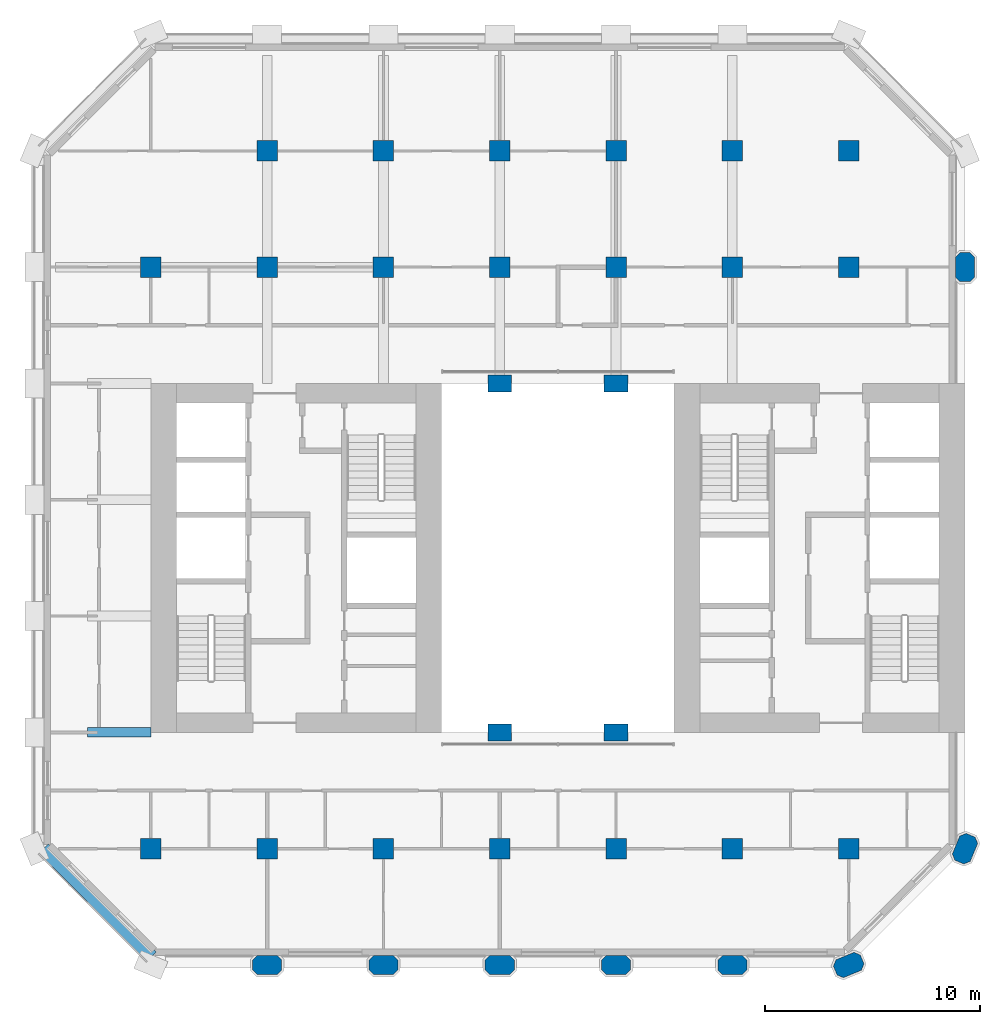
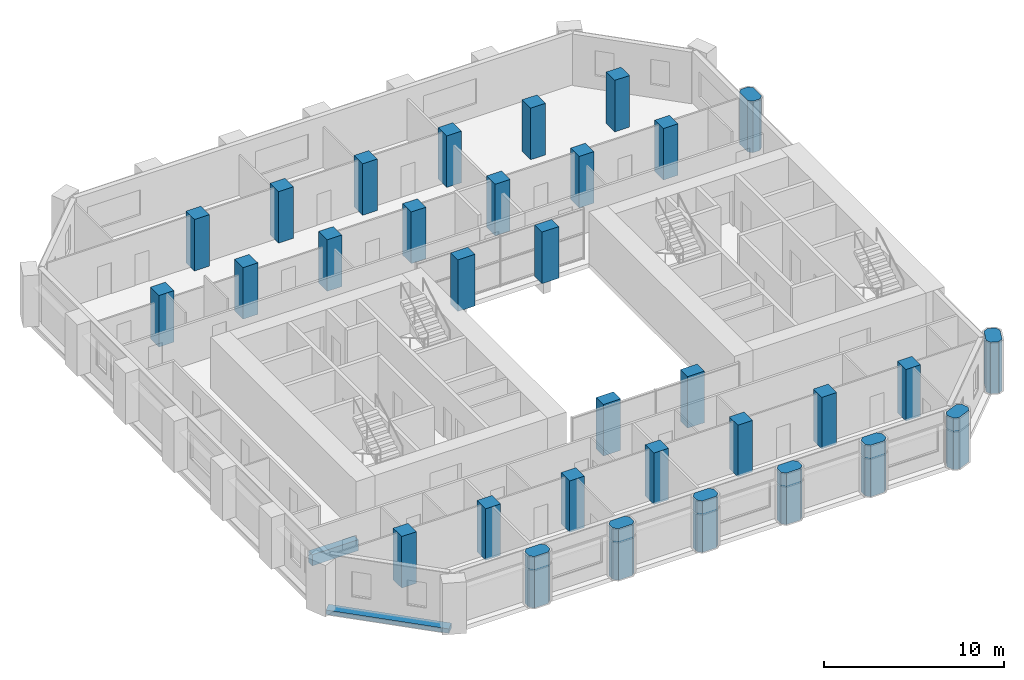
# One storey, part 1 of 13: 32 columns, 2 beams.
"""IFC4 building model written with IfcOpenShell, lengths in metres."""

from ifc_helpers import new_model, si_unit, direction, frame, origin, origin_2d, place, context, subcontext, project, spatial, polyline, rectangle, outline, extrude, material, material_profile, profile_set, type_object, element, save


model = new_model("IFC4")

# Units and contexts
model_context = context("Model", 3, precision=1e-05, world=origin(), true_north=direction((0.0, 1.0)))
body_context = subcontext(model_context, "Body", "Model", "MODEL_VIEW")
ifc_project = project(units=[si_unit("LENGTHUNIT", "METRE"), si_unit("AREAUNIT", "SQUARE_METRE"), si_unit("VOLUMEUNIT", "CUBIC_METRE"), si_unit("PLANEANGLEUNIT", "RADIAN"), si_unit("MASSUNIT", "GRAM", prefix="KILO")], contexts=[model_context])

# Site, building, storey
site_placement = place(None, origin())
site = spatial("IfcSite", under=ifc_project, at=site_placement, CompositionType="ELEMENT")
building_placement = place(site_placement, origin())
building = spatial("IfcBuilding", under=site, at=building_placement, Name="Tabaq Tower and Sports Hall", CompositionType="ELEMENT")
storey_placement = place(building_placement, frame((0.0, 0.0, 106.800048828125)))
storey = spatial("IfcBuildingStorey", under=building, at=storey_placement, Name="L25", CompositionType="ELEMENT", Elevation=106.800048828125)

# Columns
ifc_material_1 = material(Name="Concrete C60/75", Category="concrete")
ifc_material_profile_1 = material_profile(ifc_material_1, rectangle(XDim=1.10009765625, YDim=0.800048828125, at=origin_2d()), Name="ATRIUM COLUMN 1100x800")
ifc_profile_set_1 = profile_set([ifc_material_profile_1], Name="Concrete C60/75")
column_type_1 = type_object("IfcColumnType", Name="RC COLUMN ATRIUM COLUMN 1100x800 C60/75", PredefinedType="COLUMN", material=ifc_profile_set_1)
for number, where, z_axis, x_axis, name in (
    (1, (21.60009765625, 16.199951171875, 0.0), (0.0, 0.0, 1.0), (1.0, 0.0, 0.0), "Atrium Column 5/D L25"),
    (2, (27.0, 16.199951171875, 0.0), (0.0, 0.0, 1.0), (1.0, 0.0, 0.0), "Atrium Column 6/D L25"),
    (3, (21.60009765625, 32.39990234375, 0.0), (0.0, 0.0, 1.0), (1.0, 0.0, 0.0), "Atrium Column 5/G L25"),
    (4, (27.0, 32.39990234375, 0.0), (0.0, 0.0, 1.0), (1.0, 0.0, 0.0), "Atrium Column 6/G L25"),
):
    element("IfcColumn", number, at=place(storey_placement, frame(where, z_axis=z_axis, x_axis=x_axis)), inside=storey, type_object=column_type_1, Name=name, PredefinedType="COLUMN", context=body_context, shape_type="SweptSolid", body=[
        extrude(rectangle(XDim=1.10009765625, YDim=0.800048828125, at=origin_2d()), origin(), (0.0, 0.0, 1.0), 3.5),
    ])
ifc_material_2 = material(Name="Concrete C60/75", Category="concrete")
ifc_material_profile_2 = material_profile(ifc_material_2, rectangle(XDim=0.949951171875, YDim=0.949951171875, at=origin_2d()), Name="COLUMN 950x950")
ifc_profile_set_2 = profile_set([ifc_material_profile_2], Name="Concrete C60/75")
column_type_2 = type_object("IfcColumnType", Name="RC COLUMN COLUMN 950x950 C60/75", PredefinedType="COLUMN", material=ifc_profile_set_2)
for number, where, z_axis, x_axis, name in (
    (5, (5.39990234375, 10.800048828125, 0.0), (0.0, 0.0, 1.0), (1.0, 0.0, 0.0), "Column 2/C L25"),
    (6, (10.800048828125, 10.800048828125, 0.0), (0.0, 0.0, 1.0), (1.0, 0.0, 0.0), "Column 3/C L25"),
    (7, (16.199951171875, 10.800048828125, 0.0), (0.0, 0.0, 1.0), (1.0, 0.0, 0.0), "Column 4/C L25"),
    (8, (21.60009765625, 10.800048828125, 0.0), (0.0, 0.0, 1.0), (1.0, 0.0, 0.0), "Column 5/C L25"),
    (9, (27.0, 10.800048828125, 0.0), (0.0, 0.0, 1.0), (1.0, 0.0, 0.0), "Column 6/C L25"),
    (10, (32.39990234375, 10.800048828125, 0.0), (0.0, 0.0, 1.0), (1.0, 0.0, 0.0), "Column 7/C L25"),
    (11, (37.800048828125, 10.800048828125, 0.0), (0.0, 0.0, 1.0), (1.0, 0.0, 0.0), "Column 8/C L25"),
    (12, (5.39990234375, 37.800048828125, 0.0), (0.0, 0.0, 1.0), (1.0, 0.0, 0.0), "Column 2/H L25"),
    (13, (10.800048828125, 37.800048828125, 0.0), (0.0, 0.0, 1.0), (1.0, 0.0, 0.0), "Column 3/H L25"),
    (14, (16.199951171875, 37.800048828125, 0.0), (0.0, 0.0, 1.0), (1.0, 0.0, 0.0), "Column 4/H L25"),
    (15, (21.60009765625, 37.800048828125, 0.0), (0.0, 0.0, 1.0), (1.0, 0.0, 0.0), "Column 5/H L25"),
    (16, (27.0, 37.800048828125, 0.0), (0.0, 0.0, 1.0), (1.0, 0.0, 0.0), "Column 6/H L25"),
    (17, (32.39990234375, 37.800048828125, 0.0), (0.0, 0.0, 1.0), (1.0, 0.0, 0.0), "Column 7/H L25"),
    (18, (37.800048828125, 37.800048828125, 0.0), (0.0, 0.0, 1.0), (1.0, 0.0, 0.0), "Column 8/H L25"),
    (19, (10.800048828125, 43.199951171875, 0.0), (0.0, 0.0, 1.0), (1.0, 0.0, 0.0), "Column 3/I L25"),
    (20, (16.199951171875, 43.199951171875, 0.0), (0.0, 0.0, 1.0), (1.0, 0.0, 0.0), "Column 4/I L25"),
    (21, (21.60009765625, 43.199951171875, 0.0), (0.0, 0.0, 1.0), (1.0, 0.0, 0.0), "Column 5/I L25"),
    (22, (27.0, 43.199951171875, 0.0), (0.0, 0.0, 1.0), (1.0, 0.0, 0.0), "Column 6/I L25"),
    (23, (32.39990234375, 43.199951171875, 0.0), (0.0, 0.0, 1.0), (1.0, 0.0, 0.0), "Column 7/I L25"),
    (24, (37.800048828125, 43.199951171875, 0.0), (0.0, 0.0, 1.0), (1.0, 0.0, 0.0), "Column 8/I L25"),
):
    element("IfcColumn", number, at=place(storey_placement, frame(where, z_axis=z_axis, x_axis=x_axis)), inside=storey, type_object=column_type_2, Name=name, PredefinedType="COLUMN", context=body_context, shape_type="SweptSolid", body=[
        extrude(rectangle(XDim=0.949951171875, YDim=0.949951171875, at=origin_2d()), origin(), (0.0, 0.0, 1.0), 3.5),
    ])
ifc_material_3 = material(Name="Concrete C60/75", Category="concrete")
ifc_material_profile_3 = material_profile(ifc_material_3, outline(polyline([(-0.449951171875, -0.449951171875), (0.449951171875, -0.449951171875), (0.675048828125, -0.22509765625), (0.675048828125, 0.22509765625), (0.449951171875, 0.449951171875), (-0.449951171875, 0.449951171875), (-0.675048828125, 0.22509765625), (-0.675048828125, -0.22509765625), (-0.449951171875, -0.449951171875)])), Name="PIER 1350x900")
ifc_profile_set_3 = profile_set([ifc_material_profile_3], Name="Concrete C60/75")
column_type_3 = type_object("IfcColumnType", Name="RC COLUMN PIER 1350x900 C60/75", PredefinedType="COLUMN", material=ifc_profile_set_3)
for number, where, z_axis, x_axis, name in (
    (25, (10.800048828125, 5.39990234375, 0.0), (0.0, 0.0, 1.0), (1.0, 0.0, 0.0), "Pier 3/B L25"),
    (26, (16.199951171875, 5.39990234375, 0.0), (0.0, 0.0, 1.0), (1.0, 0.0, 0.0), "Pier 4/B L25"),
    (27, (21.60009765625, 5.39990234375, 0.0), (0.0, 0.0, 1.0), (1.0, 0.0, 0.0), "Pier 5/B L25"),
    (28, (27.0, 5.39990234375, 0.0), (0.0, 0.0, 1.0), (1.0, 0.0, 0.0), "Pier 6/B L25"),
    (29, (32.39990234375, 5.39990234375, 0.0), (0.0, 0.0, 1.0), (1.0, 0.0, 0.0), "Pier 7/B L25"),
    (30, (37.800048828125, 5.39990234375, 0.0), (0.0, 0.0, 1.0), (0.923879532511, 0.382683432365, 0.0), "Pier 8/B L25"),
    (31, (43.199951171875, 10.800048828125, 0.0), (0.0, 0.0, 1.0), (0.382683432365, 0.923879532511, 0.0), "Pier 9/C L25"),
    (32, (43.199951171875, 37.800048828125, 0.0), (0.0, 0.0, 1.0), (0.0, 1.0, 0.0), "Pier 9/H L25"),
):
    element("IfcColumn", number, at=place(storey_placement, frame(where, z_axis=z_axis, x_axis=x_axis)), inside=storey, type_object=column_type_3, Name=name, PredefinedType="COLUMN", context=body_context, shape_type="SweptSolid", body=[
        extrude(outline(polyline([(-0.449951171875, -0.449951171875), (0.449951171875, -0.449951171875), (0.675048828125, -0.22509765625), (0.675048828125, 0.22509765625), (0.449951171875, 0.449951171875), (-0.449951171875, 0.449951171875), (-0.675048828125, 0.22509765625), (-0.675048828125, -0.22509765625), (-0.449951171875, -0.449951171875)])), origin(), (0.0, 0.0, 1.0), 3.5),
    ])

# Beams
ifc_material_4 = material(Name="Concrete C40/50", Category="concrete")
ifc_material_profile_4 = material_profile(ifc_material_4, rectangle(XDim=0.449951171875, YDim=0.75, at=origin_2d()), Name="CB 450x750")
ifc_profile_set_4 = profile_set([ifc_material_profile_4], Name="Concrete C40/50")
beam_type_1 = type_object("IfcBeamType", Name="PT CANTILEVER BEAM CB 450x750 C40/50", PredefinedType="BEAM", material=ifc_profile_set_4)
beam_1_placement = place(storey_placement, frame((2.449951171875, 16.199951171875, -0.675048828125), z_axis=(1.0, 0.0, 0.0), x_axis=(0.0, 1.0, 0.0)))
element("IfcBeam", 33, at=beam_1_placement, inside=storey, type_object=beam_type_1, Name="Cantilever Beam L25 W3 span 1", PredefinedType="BEAM", context=body_context, shape_type="SweptSolid", body=[
    extrude(rectangle(XDim=0.449951171875, YDim=0.75, at=origin_2d()), origin(), (0.0, 0.0, 1.0), 2.949951171875),
])
ifc_material_5 = material(Name="Concrete C40/50", Category="concrete")
ifc_material_profile_5 = material_profile(ifc_material_5, rectangle(XDim=0.60009765625, YDim=0.300048828125, at=origin_2d()), Name="EB 600x300")
ifc_profile_set_5 = profile_set([ifc_material_profile_5], Name="Concrete C40/50")
beam_type_2 = type_object("IfcBeamType", Name="PT EDGE BEAM EB 600x300 C40/50", PredefinedType="SPANDREL", material=ifc_profile_set_5)
beam_2_placement = place(storey_placement, frame((0.42333984375, 10.801025390625, -0.150146484375), z_axis=(0.707089559252, -0.707124002701, 0.0), x_axis=(0.707124002701, 0.707089559252, 0.0)))
element("IfcBeam", 34, at=beam_2_placement, inside=storey, type_object=beam_type_2, Name="Edge Beam L25 5", PredefinedType="SPANDREL", context=body_context, shape_type="SweptSolid", body=[
    extrude(rectangle(XDim=0.60009765625, YDim=0.300048828125, at=origin_2d()), origin(), (0.0, 0.0, 1.0), 7.088134765625),
])

save(model, "model.ifc")
